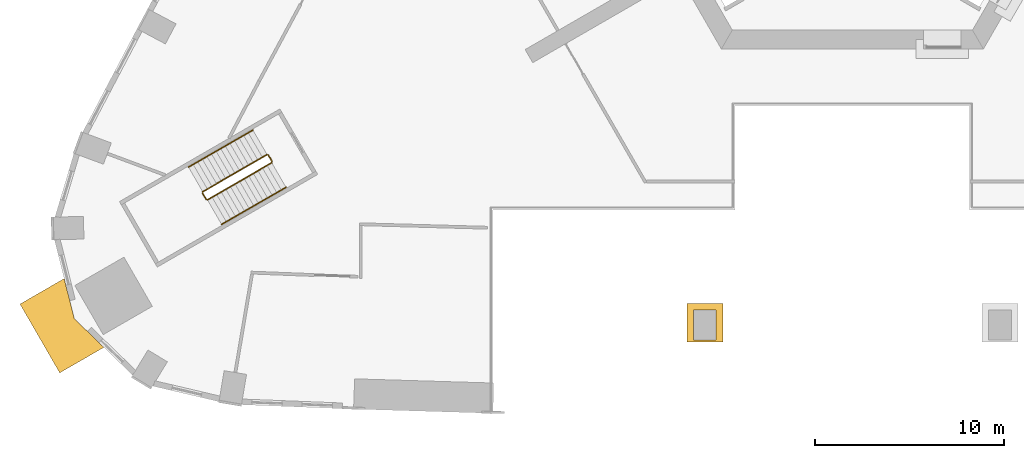
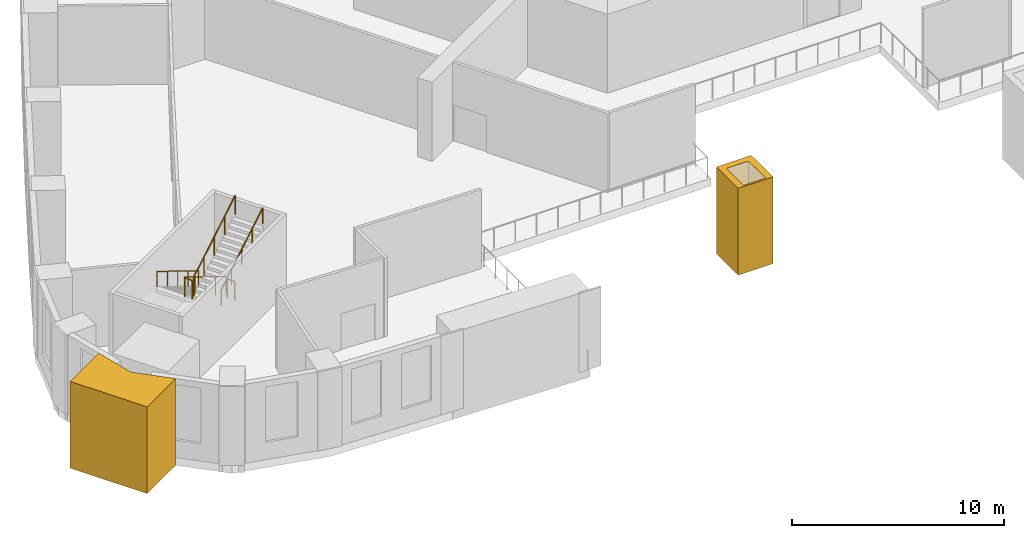
# One storey, part 12 of 16: 6 railings, 2 coverings.
"""IFC4 building model written with IfcOpenShell, lengths in metres."""

from ifc_helpers import new_model, si_unit, direction, frame, origin, origin_2d, place, context, subcontext, project, spatial, polyline, circle, outline, extrude, material, type_object, element, save


model = new_model("IFC4")

# Units and contexts
model_context = context("Model", 3, precision=1e-05, world=origin(), true_north=direction((0.0, 1.0)))
body_context = subcontext(model_context, "Body", "Model", "MODEL_VIEW")
ifc_project = project(units=[si_unit("LENGTHUNIT", "METRE"), si_unit("AREAUNIT", "SQUARE_METRE"), si_unit("VOLUMEUNIT", "CUBIC_METRE"), si_unit("PLANEANGLEUNIT", "RADIAN"), si_unit("MASSUNIT", "GRAM", prefix="KILO")], contexts=[model_context])

# Site, building, storey
site_placement = place(None, origin())
site = spatial("IfcSite", under=ifc_project, at=site_placement, CompositionType="ELEMENT")
building_placement = place(site_placement, origin())
building = spatial("IfcBuilding", under=site, at=building_placement, Name="Entoto Arch Interchange Tower", CompositionType="ELEMENT")
storey_placement = place(building_placement, frame((0.0, 0.0, 20.0)))
storey = spatial("IfcBuildingStorey", under=building, at=storey_placement, Name="L03", CompositionType="ELEMENT", Elevation=20.0)

# Coverings
ifc_material_1 = material(Name="Board-marked precast concrete C50/60", Category="concrete")
covering_type = type_object("IfcCoveringType", Name="PRECAST FRAME COURSE", PredefinedType="CLADDING", material=ifc_material_1)
covering_1_placement = place(storey_placement, frame((0.0, 0.0, -0.449951171875)))
element("IfcCovering", 1, at=covering_1_placement, inside=storey, type_object=covering_type, Name="Podium corner pier SW L03", PredefinedType="CLADDING", context=body_context, shape_type="SweptSolid", body=[
    extrude(outline(polyline([(-44.01611328125, -22.987060546875), (-41.679931640625, -21.638916015625), (-41.14697265625, -23.756103515625), (-39.580078125, -25.27587890625), (-41.916015625, -26.625), (-44.01611328125, -22.987060546875)])), origin(), (0.0, 0.0, 1.0), 5.0),
])
covering_2_placement = place(storey_placement, frame((0.0, 0.0, -0.449951171875)))
element("IfcCovering", 2, at=covering_2_placement, inside=storey, type_object=covering_type, Name="Gate pier L03", PredefinedType="CLADDING", context=body_context, shape_type="SweptSolid", body=[
    extrude(outline(polyline([(-8.75, -22.949951171875), (-6.85009765625, -22.949951171875), (-6.85009765625, -24.9990234375), (-8.75, -24.9990234375), (-8.75, -22.949951171875)]), holes=[polyline([(-8.39990234375, -23.300048828125), (-8.39990234375, -24.89990234375), (-7.199951171875, -24.89990234375), (-7.199951171875, -23.300048828125), (-8.39990234375, -23.300048828125)])]), origin(), (0.0, 0.0, 1.0), 5.0),
])

# Railings
ifc_material_2 = material(Name="Stainless steel 1.4301", Category="steel")
railing_type_1 = type_object("IfcRailingType", Name="STAIR GUARD 1100 STEEL", PredefinedType="GUARDRAIL", material=ifc_material_2)
railing_1_placement = place(storey_placement, frame((-30.95556640625, -15.08349609375, 0.166748046875)))
element("IfcRailing", 3, at=railing_1_placement, inside=storey, type_object=railing_type_1, Name="L03 PST-SW stair guard 1", PredefinedType="GUARDRAIL", context=body_context, shape_type="SweptSolid", body=[
    extrude(circle(Radius=0.02392578125, at=origin_2d()), frame((0.0, 0.0, 1.076171875), z_axis=(-0.744174672596, -0.429646477641, 0.511476256455), x_axis=(0.499997407846, -0.86602690036, 0.0)), (0.0, 0.0, 1.0), 4.561767578125),
    extrude(circle(Radius=0.02099609375, at=origin_2d()), origin(), (0.0, 0.0, 1.0), 1.052001953125),
    extrude(circle(Radius=0.02099609375, at=origin_2d()), frame((-0.8486328125, -0.489990234375, 0.583251953125)), (0.0, 0.0, 1.0), 1.052001953125),
    extrude(circle(Radius=0.02099609375, at=origin_2d()), frame((-1.697265625, -0.97998046875, 1.16650390625)), (0.0, 0.0, 1.0), 1.052001953125),
    extrude(circle(Radius=0.02099609375, at=origin_2d()), frame((-2.546142578125, -1.469970703125, 1.75)), (0.0, 0.0, 1.0), 1.052001953125),
    extrude(circle(Radius=0.02099609375, at=origin_2d()), frame((-3.394775390625, -1.9599609375, 2.333251953125)), (0.0, 0.0, 1.0), 1.052001953125),
])
railing_2_placement = place(storey_placement, frame((-34.36865234375, -17.11181640625, 2.5)))
element("IfcRailing", 4, at=railing_2_placement, inside=storey, type_object=railing_type_1, Name="L03 PST-SW stair guard 2", PredefinedType="GUARDRAIL", context=body_context, shape_type="SweptSolid", body=[
    extrude(circle(Radius=0.02392578125, at=origin_2d()), frame((0.0, 0.0, 1.076171875), z_axis=(0.499880961361, -0.866094119867, 0.0), x_axis=(0.866094119867, 0.499880961361, 0.0)), (0.0, 0.0, 1.0), 0.39990234375),
    extrude(circle(Radius=0.02099609375, at=origin_2d()), origin(), (0.0, 0.0, 1.0), 1.052001953125),
    extrude(circle(Radius=0.02099609375, at=origin_2d()), frame((0.199951171875, -0.346435546875, 0.0)), (0.0, 0.0, 1.0), 1.052001953125),
])
railing_3_placement = place(storey_placement, frame((-34.100341796875, -17.4765625, 2.666748046875)))
element("IfcRailing", 5, at=railing_3_placement, inside=storey, type_object=railing_type_1, Name="L03 PST-SW stair guard 3", PredefinedType="GUARDRAIL", context=body_context, shape_type="SweptSolid", body=[
    extrude(circle(Radius=0.02392578125, at=origin_2d()), frame((0.0, 0.0, 1.076171875), z_axis=(0.744174672596, 0.429646477641, 0.511476256455), x_axis=(-0.499997407846, 0.86602690036, 0.0)), (0.0, 0.0, 1.0), 4.561767578125),
    extrude(circle(Radius=0.02099609375, at=origin_2d()), origin(), (0.0, 0.0, 1.0), 1.052001953125),
    extrude(circle(Radius=0.02099609375, at=origin_2d()), frame((0.8486328125, 0.489990234375, 0.583251953125)), (0.0, 0.0, 1.0), 1.052001953125),
    extrude(circle(Radius=0.02099609375, at=origin_2d()), frame((1.697265625, 0.97998046875, 1.16650390625)), (0.0, 0.0, 1.0), 1.052001953125),
    extrude(circle(Radius=0.02099609375, at=origin_2d()), frame((2.546142578125, 1.469970703125, 1.75)), (0.0, 0.0, 1.0), 1.052001953125),
    extrude(circle(Radius=0.02099609375, at=origin_2d()), frame((3.394775390625, 1.9599609375, 2.333251953125)), (0.0, 0.0, 1.0), 1.052001953125),
])
railing_4_placement = place(storey_placement, frame((-30.88720703125, -15.101806640625, 0.0)))
element("IfcRailing", 6, at=railing_4_placement, inside=storey, type_object=railing_type_1, Name="L03 PST-SW stair guard 4", PredefinedType="GUARDRAIL", context=body_context, shape_type="SweptSolid", body=[
    extrude(circle(Radius=0.02392578125, at=origin_2d()), frame((0.0, 0.0, 1.076171875), z_axis=(0.499880961361, -0.866094119867, 0.0), x_axis=(0.866094119867, 0.499880961361, 0.0)), (0.0, 0.0, 1.0), 0.39990234375),
    extrude(circle(Radius=0.02099609375, at=origin_2d()), origin(), (0.0, 0.0, 1.0), 1.052001953125),
    extrude(circle(Radius=0.02099609375, at=origin_2d()), frame((0.199951171875, -0.346435546875, 0.0)), (0.0, 0.0, 1.0), 1.052001953125),
])
railing_type_2 = type_object("IfcRailingType", Name="STAIR HANDRAIL 900 STEEL", PredefinedType="HANDRAIL", material=ifc_material_2)
railing_5_placement = place(storey_placement, frame((-31.70556640625, -13.784423828125, 0.166748046875)))
element("IfcRailing", 7, at=railing_5_placement, inside=storey, type_object=railing_type_2, Name="L03 PST-SW stair handrail 1", PredefinedType="HANDRAIL", context=body_context, shape_type="SweptSolid", body=[
    extrude(circle(Radius=0.02392578125, at=origin_2d()), frame((0.0, 0.0, 0.8759765625), z_axis=(-0.744174672596, -0.429646477641, 0.511476256455), x_axis=(0.499997407846, -0.86602690036, 0.0)), (0.0, 0.0, 1.0), 4.561767578125),
    extrude(circle(Radius=0.02099609375, at=origin_2d()), origin(), (0.0, 0.0, 1.0), 0.851806640625),
    extrude(circle(Radius=0.02099609375, at=origin_2d()), frame((-0.8486328125, -0.489990234375, 0.583251953125)), (0.0, 0.0, 1.0), 0.851806640625),
    extrude(circle(Radius=0.02099609375, at=origin_2d()), frame((-1.697265625, -0.97998046875, 1.16650390625)), (0.0, 0.0, 1.0), 0.851806640625),
    extrude(circle(Radius=0.02099609375, at=origin_2d()), frame((-2.546142578125, -1.469970703125, 1.75)), (0.0, 0.0, 1.0), 0.851806640625),
    extrude(circle(Radius=0.02099609375, at=origin_2d()), frame((-3.394775390625, -1.9599609375, 2.333251953125)), (0.0, 0.0, 1.0), 0.851806640625),
])
railing_6_placement = place(storey_placement, frame((-33.350341796875, -18.775634765625, 2.666748046875)))
element("IfcRailing", 8, at=railing_6_placement, inside=storey, type_object=railing_type_2, Name="L03 PST-SW stair handrail 2", PredefinedType="HANDRAIL", context=body_context, shape_type="SweptSolid", body=[
    extrude(circle(Radius=0.02392578125, at=origin_2d()), frame((0.0, 0.0, 0.8759765625), z_axis=(0.744174672596, 0.429646477641, 0.511476256455), x_axis=(-0.499997407846, 0.86602690036, 0.0)), (0.0, 0.0, 1.0), 4.561767578125),
    extrude(circle(Radius=0.02099609375, at=origin_2d()), origin(), (0.0, 0.0, 1.0), 0.851806640625),
    extrude(circle(Radius=0.02099609375, at=origin_2d()), frame((0.8486328125, 0.489990234375, 0.583251953125)), (0.0, 0.0, 1.0), 0.851806640625),
    extrude(circle(Radius=0.02099609375, at=origin_2d()), frame((1.697265625, 0.97998046875, 1.16650390625)), (0.0, 0.0, 1.0), 0.851806640625),
    extrude(circle(Radius=0.02099609375, at=origin_2d()), frame((2.546142578125, 1.469970703125, 1.75)), (0.0, 0.0, 1.0), 0.851806640625),
    extrude(circle(Radius=0.02099609375, at=origin_2d()), frame((3.394775390625, 1.9599609375, 2.333251953125)), (0.0, 0.0, 1.0), 0.851806640625),
])

save(model, "model.ifc")
